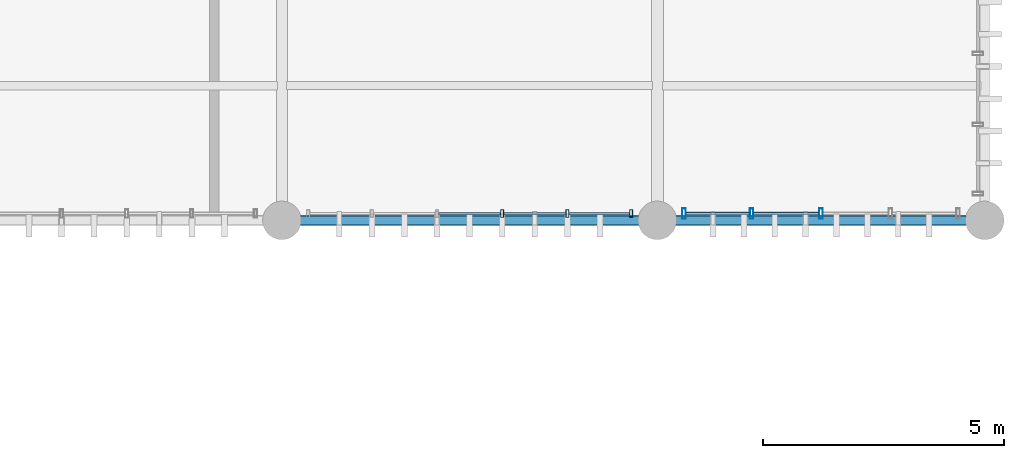
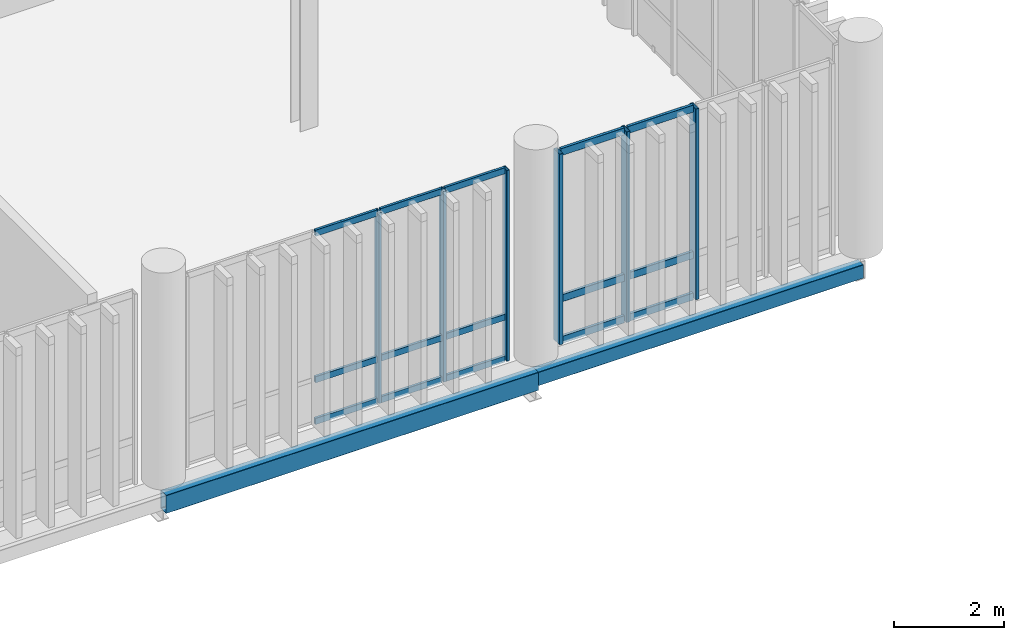
# One storey, part 51 of 94: 21 members, 2 beams, 2 elements without a shape of their own.
"""IFC4 building model written with IfcOpenShell, lengths in metres."""

from ifc_helpers import new_model, si_unit, direction, frame, origin_with_axes, origin_2d_with_axis, place, context, subcontext, project, spatial, hollow_rectangle, extrude, material, material_profile, profile_set, type_object, element, aggregate, save


model = new_model("IFC4")

# Units and contexts
model_context = context("Model", 3, precision=1e-05, world=origin_with_axes(), true_north=direction((0.0, 1.0)))
body_context = subcontext(model_context, "Body", "Model", "MODEL_VIEW")
ifc_project = project(units=[si_unit("LENGTHUNIT", "METRE"), si_unit("AREAUNIT", "SQUARE_METRE"), si_unit("VOLUMEUNIT", "CUBIC_METRE"), si_unit("PLANEANGLEUNIT", "RADIAN"), si_unit("MASSUNIT", "GRAM", prefix="KILO"), si_unit("THERMODYNAMICTEMPERATUREUNIT", "KELVIN")], contexts=[model_context])

# Site, building, storey
site_placement = place(None, origin_with_axes())
site = spatial("IfcSite", under=ifc_project, at=site_placement, CompositionType="ELEMENT")
building_placement = place(site_placement, origin_with_axes())
building = spatial("IfcBuilding", under=site, at=building_placement, Name="Montbau Bow Law Courts", CompositionType="ELEMENT")
storey_placement = place(building_placement, frame((0.0, 0.0, 15.6), z_axis=(0.0, 0.0, 1.0), x_axis=(1.0, 0.0, 0.0)))
storey = spatial("IfcBuildingStorey", under=building, at=storey_placement, Name="L03", CompositionType="ELEMENT", Elevation=15.6)

# Beams
ifc_material_1 = material(Name="Steel CSA G40.21 Grade 350WT (350 MPa)", Category="steel")
ifc_material_profile_1 = material_profile(ifc_material_1, hollow_rectangle(XDim=0.203, YDim=0.406, WallThickness=0.0127, InnerFilletRadius=0.0254, OuterFilletRadius=0.0127, at=origin_2d_with_axis()), Name="HSS406X203X13", Category="Main", Priority=0)
ifc_profile_set_1 = profile_set([ifc_material_profile_1], Name="Steel CSA G40.21 Grade 350WT (350 MPa)")
beam_type_1 = type_object("IfcBeamType", Name="B-SPN-01", PredefinedType="SPANDREL", material=ifc_profile_set_1)
beam_1_placement = place(None, frame((154.8, 69.6, 15.057), z_axis=(1.0, 0.0, 0.0), x_axis=(0.0, 1.0, 0.0)))
element("IfcBeam", 1, at=beam_1_placement, inside=storey, type_object=beam_type_1, Name="SPN-L03-S1207:bm2_1210", PredefinedType="SPANDREL", context=body_context, shape_type="SweptSolid", body=[
    extrude(hollow_rectangle(XDim=0.203, YDim=0.406, WallThickness=0.0127, InnerFilletRadius=0.0254, OuterFilletRadius=0.0127, at=origin_2d_with_axis()), origin_with_axes(), (0.0, 0.0, 1.0), 7.8),
])
ifc_material_profile_2 = material_profile(ifc_material_1, hollow_rectangle(XDim=0.203, YDim=0.305, WallThickness=0.0127, InnerFilletRadius=0.0254, OuterFilletRadius=0.0127, at=origin_2d_with_axis()), Name="HSS305X203X13", Category="Main", Priority=0)
ifc_profile_set_2 = profile_set([ifc_material_profile_2], Name="Steel CSA G40.21 Grade 350WT (350 MPa)")
beam_type_2 = type_object("IfcBeamType", Name="B-SPN-02", PredefinedType="SPANDREL", material=ifc_profile_set_2)
beam_2_placement = place(None, frame((162.6, 69.6, 15.107), z_axis=(1.0, 0.0, 0.0), x_axis=(0.0, 1.0, 0.0)))
element("IfcBeam", 2, at=beam_2_placement, inside=storey, type_object=beam_type_2, Name="SPN-L03-S1208:bm2_1211", PredefinedType="SPANDREL", context=body_context, shape_type="SweptSolid", body=[
    extrude(hollow_rectangle(XDim=0.203, YDim=0.305, WallThickness=0.0127, InnerFilletRadius=0.0254, OuterFilletRadius=0.0127, at=origin_2d_with_axis()), origin_with_axes(), (0.0, 0.0, 1.0), 6.8),
])

# Curtain wall, members
ifc_material_2 = material(Name="Thermally Broken Extruded Aluminium AA 6063-T6", Category="aluminium")
curtain_wall_type = type_object("IfcCurtainWallType", Name="CW-SLT-01", PredefinedType="NOTDEFINED", material=ifc_material_2)
curtain_wall_1_placement = place(None, frame((163.115, 69.74, 15.6), z_axis=(0.0, 0.0, 1.0), x_axis=(1.0, 0.0, 0.0)))
curtain_wall_1 = element("IfcCurtainWall", 3, at=curtain_wall_1_placement, inside=storey, type_object=curtain_wall_type, Name="CW-L03-312:cw_0312", PredefinedType="NOTDEFINED")
ifc_material_profile_3 = material_profile(ifc_material_2, hollow_rectangle(XDim=0.075, YDim=0.22, WallThickness=0.005, InnerFilletRadius=0.01, OuterFilletRadius=0.005, at=origin_2d_with_axis()), Name="CWM-220X75", Category="Main", Priority=0)
ifc_profile_set_3 = profile_set([ifc_material_profile_3], Name="Thermally Broken Extruded Aluminium AA 6063-T6")
member_type_1 = type_object("IfcMemberType", Name="M-MUL-01", PredefinedType="MULLION", material=ifc_profile_set_3)
member_1_placement = place(None, frame((163.152, 69.74, 15.6), z_axis=(0.0, 0.0, 1.0), x_axis=(1.0, 0.0, 0.0)))
member_1 = element("IfcMember", 4, at=member_1_placement, type_object=member_type_1, Name="CW-L03-312-M01:cw_0312_M01", PredefinedType="MULLION", context=body_context, shape_type="SweptSolid", body=[
    extrude(hollow_rectangle(XDim=0.075, YDim=0.22, WallThickness=0.005, InnerFilletRadius=0.01, OuterFilletRadius=0.005, at=origin_2d_with_axis()), origin_with_axes(), (0.0, 0.0, 1.0), 4.22),
])
member_2_placement = place(None, frame((164.557, 69.74, 15.6), z_axis=(0.0, 0.0, 1.0), x_axis=(1.0, 0.0, 0.0)))
member_2 = element("IfcMember", 5, at=member_2_placement, type_object=member_type_1, Name="CW-L03-312-M02:cw_0312_M02", PredefinedType="MULLION", context=body_context, shape_type="SweptSolid", body=[
    extrude(hollow_rectangle(XDim=0.075, YDim=0.22, WallThickness=0.005, InnerFilletRadius=0.01, OuterFilletRadius=0.005, at=origin_2d_with_axis()), origin_with_axes(), (0.0, 0.0, 1.0), 4.22),
])
member_3_placement = place(None, frame((166.0, 69.74, 15.6), z_axis=(0.0, 0.0, 1.0), x_axis=(1.0, 0.0, 0.0)))
member_3 = element("IfcMember", 6, at=member_3_placement, type_object=member_type_1, Name="CW-L03-312-M03:cw_0312_M03", PredefinedType="MULLION", context=body_context, shape_type="SweptSolid", body=[
    extrude(hollow_rectangle(XDim=0.075, YDim=0.22, WallThickness=0.005, InnerFilletRadius=0.01, OuterFilletRadius=0.005, at=origin_2d_with_axis()), origin_with_axes(), (0.0, 0.0, 1.0), 4.22),
])

curtain_wall_2_placement = place(None, frame((155.315, 69.74, 15.6), z_axis=(0.0, 0.0, 1.0), x_axis=(1.0, 0.0, 0.0)))
curtain_wall_2 = element("IfcCurtainWall", 7, at=curtain_wall_2_placement, inside=storey, type_object=curtain_wall_type, Name="CW-L03-311:cw_0311", PredefinedType="NOTDEFINED")
ifc_material_profile_4 = material_profile(ifc_material_2, hollow_rectangle(XDim=0.06, YDim=0.16, WallThickness=0.004, InnerFilletRadius=0.008, OuterFilletRadius=0.004, at=origin_2d_with_axis()), Name="CWM-160X60", Category="Main", Priority=0)
ifc_profile_set_4 = profile_set([ifc_material_profile_4], Name="Thermally Broken Extruded Aluminium AA 6063-T6")
member_type_2 = type_object("IfcMemberType", Name="M-MUL-03", PredefinedType="MULLION", material=ifc_profile_set_4)
member_4_placement = place(None, frame((159.377, 69.74, 15.6), z_axis=(0.0, 0.0, 1.0), x_axis=(1.0, 0.0, 0.0)))
member_4 = element("IfcMember", 8, at=member_4_placement, type_object=member_type_2, Name="CW-L03-311-M04:cw_0311_M04", PredefinedType="MULLION", context=body_context, shape_type="SweptSolid", body=[
    extrude(hollow_rectangle(XDim=0.06, YDim=0.16, WallThickness=0.004, InnerFilletRadius=0.008, OuterFilletRadius=0.004, at=origin_2d_with_axis()), origin_with_axes(), (0.0, 0.0, 1.0), 4.22),
])
member_5_placement = place(None, frame((160.731, 69.74, 15.6), z_axis=(0.0, 0.0, 1.0), x_axis=(1.0, 0.0, 0.0)))
member_5 = element("IfcMember", 9, at=member_5_placement, type_object=member_type_2, Name="CW-L03-311-M05:cw_0311_M05", PredefinedType="MULLION", context=body_context, shape_type="SweptSolid", body=[
    extrude(hollow_rectangle(XDim=0.06, YDim=0.16, WallThickness=0.004, InnerFilletRadius=0.008, OuterFilletRadius=0.004, at=origin_2d_with_axis()), origin_with_axes(), (0.0, 0.0, 1.0), 4.22),
])
member_6_placement = place(None, frame((162.055, 69.74, 15.6), z_axis=(0.0, 0.0, 1.0), x_axis=(1.0, 0.0, 0.0)))
member_6 = element("IfcMember", 10, at=member_6_placement, type_object=member_type_2, Name="CW-L03-311-M06:cw_0311_M06", PredefinedType="MULLION", context=body_context, shape_type="SweptSolid", body=[
    extrude(hollow_rectangle(XDim=0.06, YDim=0.16, WallThickness=0.004, InnerFilletRadius=0.008, OuterFilletRadius=0.004, at=origin_2d_with_axis()), origin_with_axes(), (0.0, 0.0, 1.0), 4.22),
])

# Member
ifc_material_profile_5 = material_profile(ifc_material_2, hollow_rectangle(XDim=0.06, YDim=0.16, WallThickness=0.004, InnerFilletRadius=0.008, OuterFilletRadius=0.004, at=origin_2d_with_axis()), Name="CWT-160X60", Category="Main", Priority=0)
ifc_profile_set_5 = profile_set([ifc_material_profile_5], Name="Thermally Broken Extruded Aluminium AA 6063-T6")
member_type_3 = type_object("IfcMemberType", Name="M-TRN-01", PredefinedType="USERDEFINED", material=ifc_profile_set_5)
member_7_placement = place(None, frame((163.191, 69.74, 15.63), z_axis=(1.0, 0.0, 0.0), x_axis=(0.0, 1.0, 0.0)))
member_7 = element("IfcMember", 11, at=member_7_placement, type_object=member_type_3, Name="CW-L03-312-T01-1:cw_0312_T01_1", ObjectType="TRANSOM", PredefinedType="USERDEFINED", context=body_context, shape_type="SweptSolid", body=[
    extrude(hollow_rectangle(XDim=0.06, YDim=0.16, WallThickness=0.004, InnerFilletRadius=0.008, OuterFilletRadius=0.004, at=origin_2d_with_axis()), origin_with_axes(), (0.0, 0.0, 1.0), 1.326),
])

member_8_placement = place(None, frame((163.191, 69.74, 16.55), z_axis=(1.0, 0.0, 0.0), x_axis=(0.0, 1.0, 0.0)))
member_8 = element("IfcMember", 12, at=member_8_placement, type_object=member_type_3, Name="CW-L03-312-T01-2:cw_0312_T01_2", ObjectType="TRANSOM", PredefinedType="USERDEFINED", context=body_context, shape_type="SweptSolid", body=[
    extrude(hollow_rectangle(XDim=0.06, YDim=0.16, WallThickness=0.004, InnerFilletRadius=0.008, OuterFilletRadius=0.004, at=origin_2d_with_axis()), origin_with_axes(), (0.0, 0.0, 1.0), 1.326),
])

member_9_placement = place(None, frame((163.191, 69.74, 19.79), z_axis=(1.0, 0.0, 0.0), x_axis=(0.0, 1.0, 0.0)))
member_9 = element("IfcMember", 13, at=member_9_placement, type_object=member_type_3, Name="CW-L03-312-T01-3:cw_0312_T01_3", ObjectType="TRANSOM", PredefinedType="USERDEFINED", context=body_context, shape_type="SweptSolid", body=[
    extrude(hollow_rectangle(XDim=0.06, YDim=0.16, WallThickness=0.004, InnerFilletRadius=0.008, OuterFilletRadius=0.004, at=origin_2d_with_axis()), origin_with_axes(), (0.0, 0.0, 1.0), 1.326),
])

member_10_placement = place(None, frame((164.597, 69.74, 15.63), z_axis=(1.0, 0.0, 0.0), x_axis=(0.0, 1.0, 0.0)))
member_10 = element("IfcMember", 14, at=member_10_placement, type_object=member_type_3, Name="CW-L03-312-T02-1:cw_0312_T02_1", ObjectType="TRANSOM", PredefinedType="USERDEFINED", context=body_context, shape_type="SweptSolid", body=[
    extrude(hollow_rectangle(XDim=0.06, YDim=0.16, WallThickness=0.004, InnerFilletRadius=0.008, OuterFilletRadius=0.004, at=origin_2d_with_axis()), origin_with_axes(), (0.0, 0.0, 1.0), 1.363),
])

member_11_placement = place(None, frame((164.597, 69.74, 16.55), z_axis=(1.0, 0.0, 0.0), x_axis=(0.0, 1.0, 0.0)))
member_11 = element("IfcMember", 15, at=member_11_placement, type_object=member_type_3, Name="CW-L03-312-T02-2:cw_0312_T02_2", ObjectType="TRANSOM", PredefinedType="USERDEFINED", context=body_context, shape_type="SweptSolid", body=[
    extrude(hollow_rectangle(XDim=0.06, YDim=0.16, WallThickness=0.004, InnerFilletRadius=0.008, OuterFilletRadius=0.004, at=origin_2d_with_axis()), origin_with_axes(), (0.0, 0.0, 1.0), 1.363),
])

member_12_placement = place(None, frame((164.597, 69.74, 19.79), z_axis=(1.0, 0.0, 0.0), x_axis=(0.0, 1.0, 0.0)))
member_12 = element("IfcMember", 16, at=member_12_placement, type_object=member_type_3, Name="CW-L03-312-T02-3:cw_0312_T02_3", ObjectType="TRANSOM", PredefinedType="USERDEFINED", context=body_context, shape_type="SweptSolid", body=[
    extrude(hollow_rectangle(XDim=0.06, YDim=0.16, WallThickness=0.004, InnerFilletRadius=0.008, OuterFilletRadius=0.004, at=origin_2d_with_axis()), origin_with_axes(), (0.0, 0.0, 1.0), 1.363),
])

aggregate(curtain_wall_1, [member_1, member_2, member_3, member_7, member_8, member_9, member_10, member_11, member_12])

ifc_material_profile_6 = material_profile(ifc_material_2, hollow_rectangle(XDim=0.055, YDim=0.14, WallThickness=0.004, InnerFilletRadius=0.008, OuterFilletRadius=0.004, at=origin_2d_with_axis()), Name="CWT-140X55", Category="Main", Priority=0)
ifc_profile_set_6 = profile_set([ifc_material_profile_6], Name="Thermally Broken Extruded Aluminium AA 6063-T6")
member_type_4 = type_object("IfcMemberType", Name="M-TRN-02", PredefinedType="USERDEFINED", material=ifc_profile_set_6)
member_13_placement = place(None, frame((158.055, 69.74, 15.627), z_axis=(1.0, 0.0, 0.0), x_axis=(0.0, 1.0, 0.0)))
member_13 = element("IfcMember", 17, at=member_13_placement, type_object=member_type_4, Name="CW-L03-311-T03-1:cw_0311_T03_1", ObjectType="TRANSOM", PredefinedType="USERDEFINED", context=body_context, shape_type="SweptSolid", body=[
    extrude(hollow_rectangle(XDim=0.055, YDim=0.14, WallThickness=0.004, InnerFilletRadius=0.008, OuterFilletRadius=0.004, at=origin_2d_with_axis()), origin_with_axes(), (0.0, 0.0, 1.0), 1.29),
])

member_14_placement = place(None, frame((158.055, 69.74, 16.55), z_axis=(1.0, 0.0, 0.0), x_axis=(0.0, 1.0, 0.0)))
member_14 = element("IfcMember", 18, at=member_14_placement, type_object=member_type_4, Name="CW-L03-311-T03-2:cw_0311_T03_2", ObjectType="TRANSOM", PredefinedType="USERDEFINED", context=body_context, shape_type="SweptSolid", body=[
    extrude(hollow_rectangle(XDim=0.055, YDim=0.14, WallThickness=0.004, InnerFilletRadius=0.008, OuterFilletRadius=0.004, at=origin_2d_with_axis()), origin_with_axes(), (0.0, 0.0, 1.0), 1.29),
])

member_15_placement = place(None, frame((158.055, 69.74, 19.793), z_axis=(1.0, 0.0, 0.0), x_axis=(0.0, 1.0, 0.0)))
member_15 = element("IfcMember", 19, at=member_15_placement, type_object=member_type_4, Name="CW-L03-311-T03-3:cw_0311_T03_3", ObjectType="TRANSOM", PredefinedType="USERDEFINED", context=body_context, shape_type="SweptSolid", body=[
    extrude(hollow_rectangle(XDim=0.055, YDim=0.14, WallThickness=0.004, InnerFilletRadius=0.008, OuterFilletRadius=0.004, at=origin_2d_with_axis()), origin_with_axes(), (0.0, 0.0, 1.0), 1.29),
])

member_16_placement = place(None, frame((159.409, 69.74, 15.627), z_axis=(1.0, 0.0, 0.0), x_axis=(0.0, 1.0, 0.0)))
member_16 = element("IfcMember", 20, at=member_16_placement, type_object=member_type_4, Name="CW-L03-311-T04-1:cw_0311_T04_1", ObjectType="TRANSOM", PredefinedType="USERDEFINED", context=body_context, shape_type="SweptSolid", body=[
    extrude(hollow_rectangle(XDim=0.055, YDim=0.14, WallThickness=0.004, InnerFilletRadius=0.008, OuterFilletRadius=0.004, at=origin_2d_with_axis()), origin_with_axes(), (0.0, 0.0, 1.0), 1.29),
])

member_17_placement = place(None, frame((159.409, 69.74, 16.55), z_axis=(1.0, 0.0, 0.0), x_axis=(0.0, 1.0, 0.0)))
member_17 = element("IfcMember", 21, at=member_17_placement, type_object=member_type_4, Name="CW-L03-311-T04-2:cw_0311_T04_2", ObjectType="TRANSOM", PredefinedType="USERDEFINED", context=body_context, shape_type="SweptSolid", body=[
    extrude(hollow_rectangle(XDim=0.055, YDim=0.14, WallThickness=0.004, InnerFilletRadius=0.008, OuterFilletRadius=0.004, at=origin_2d_with_axis()), origin_with_axes(), (0.0, 0.0, 1.0), 1.29),
])

member_18_placement = place(None, frame((159.409, 69.74, 19.793), z_axis=(1.0, 0.0, 0.0), x_axis=(0.0, 1.0, 0.0)))
member_18 = element("IfcMember", 22, at=member_18_placement, type_object=member_type_4, Name="CW-L03-311-T04-3:cw_0311_T04_3", ObjectType="TRANSOM", PredefinedType="USERDEFINED", context=body_context, shape_type="SweptSolid", body=[
    extrude(hollow_rectangle(XDim=0.055, YDim=0.14, WallThickness=0.004, InnerFilletRadius=0.008, OuterFilletRadius=0.004, at=origin_2d_with_axis()), origin_with_axes(), (0.0, 0.0, 1.0), 1.29),
])

member_19_placement = place(None, frame((160.763, 69.74, 15.627), z_axis=(1.0, 0.0, 0.0), x_axis=(0.0, 1.0, 0.0)))
member_19 = element("IfcMember", 23, at=member_19_placement, type_object=member_type_4, Name="CW-L03-311-T05-1:cw_0311_T05_1", ObjectType="TRANSOM", PredefinedType="USERDEFINED", context=body_context, shape_type="SweptSolid", body=[
    extrude(hollow_rectangle(XDim=0.055, YDim=0.14, WallThickness=0.004, InnerFilletRadius=0.008, OuterFilletRadius=0.004, at=origin_2d_with_axis()), origin_with_axes(), (0.0, 0.0, 1.0), 1.26),
])

member_20_placement = place(None, frame((160.763, 69.74, 16.55), z_axis=(1.0, 0.0, 0.0), x_axis=(0.0, 1.0, 0.0)))
member_20 = element("IfcMember", 24, at=member_20_placement, type_object=member_type_4, Name="CW-L03-311-T05-2:cw_0311_T05_2", ObjectType="TRANSOM", PredefinedType="USERDEFINED", context=body_context, shape_type="SweptSolid", body=[
    extrude(hollow_rectangle(XDim=0.055, YDim=0.14, WallThickness=0.004, InnerFilletRadius=0.008, OuterFilletRadius=0.004, at=origin_2d_with_axis()), origin_with_axes(), (0.0, 0.0, 1.0), 1.26),
])

member_21_placement = place(None, frame((160.763, 69.74, 19.793), z_axis=(1.0, 0.0, 0.0), x_axis=(0.0, 1.0, 0.0)))
member_21 = element("IfcMember", 25, at=member_21_placement, type_object=member_type_4, Name="CW-L03-311-T05-3:cw_0311_T05_3", ObjectType="TRANSOM", PredefinedType="USERDEFINED", context=body_context, shape_type="SweptSolid", body=[
    extrude(hollow_rectangle(XDim=0.055, YDim=0.14, WallThickness=0.004, InnerFilletRadius=0.008, OuterFilletRadius=0.004, at=origin_2d_with_axis()), origin_with_axes(), (0.0, 0.0, 1.0), 1.26),
])

aggregate(curtain_wall_2, [member_4, member_5, member_6, member_13, member_14, member_15, member_16, member_17, member_18, member_19, member_20, member_21])

save(model, "model.ifc")
